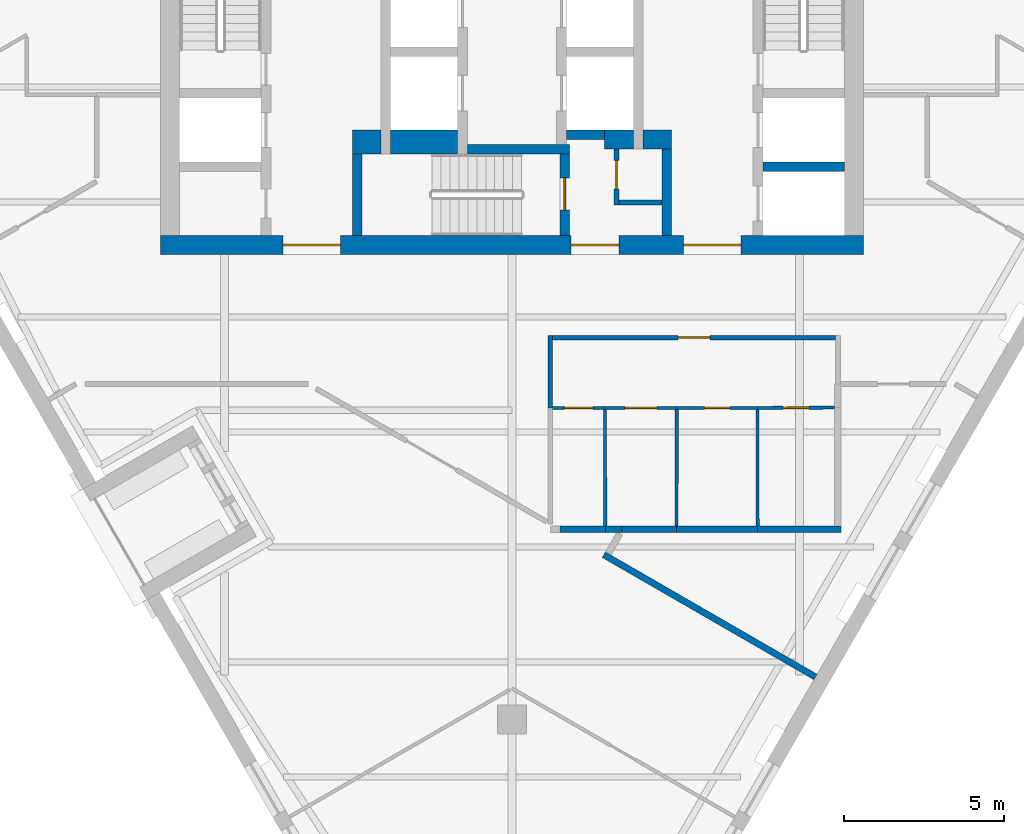
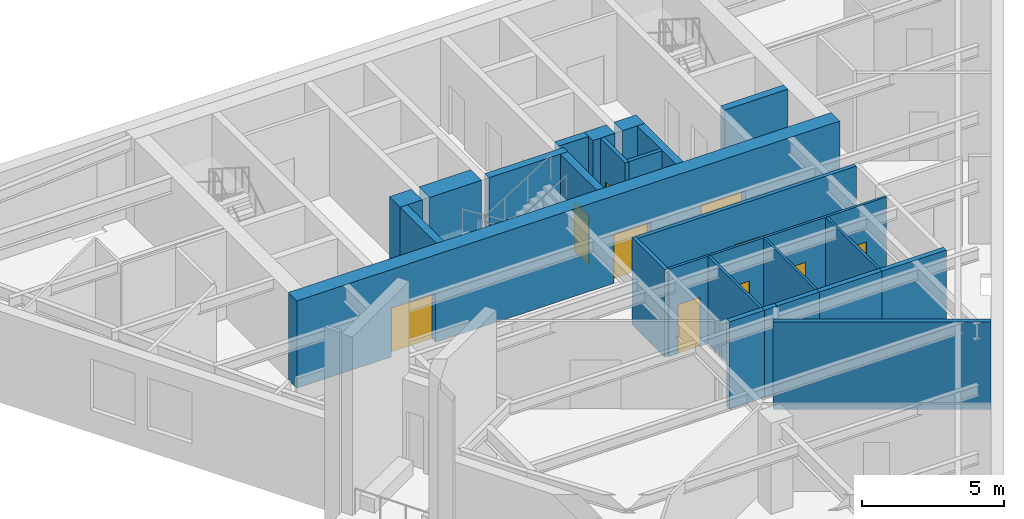
# One storey, part 3 of 7: 28 walls, 10 doors, 10 openings.
"""IFC4 building model written with IfcOpenShell, lengths in metres."""

from ifc_helpers import new_model, si_unit, direction, frame, frame_2d, origin, place, context, subcontext, project, spatial, rectangle, extrude, material, layer, layer_set, type_object, element, fill, save


model = new_model("IFC4")

# Units and contexts
model_context = context("Model", 3, precision=1e-05, world=origin(), true_north=direction((0.0, 1.0)))
body_context = subcontext(model_context, "Body", "Model", "MODEL_VIEW")
ifc_project = project(units=[si_unit("LENGTHUNIT", "METRE"), si_unit("AREAUNIT", "SQUARE_METRE"), si_unit("VOLUMEUNIT", "CUBIC_METRE"), si_unit("PLANEANGLEUNIT", "RADIAN"), si_unit("MASSUNIT", "GRAM", prefix="KILO")], contexts=[model_context])

# Site, building, storey
site_placement = place(None, origin())
site = spatial("IfcSite", under=ifc_project, at=site_placement, CompositionType="ELEMENT")
building_placement = place(site_placement, origin())
building = spatial("IfcBuilding", under=site, at=building_placement, Name="Aloe Facet Convention Tower", CompositionType="ELEMENT")
storey_placement = place(building_placement, frame((0.0, 0.0, 148.10009765625)))
storey = spatial("IfcBuildingStorey", under=building, at=storey_placement, Name="L37", CompositionType="ELEMENT", Elevation=148.10009765625)

# Wall, opening, door
ifc_material_1 = material(Name="Concrete blockwork partition", Category="masonry")
ifc_layer_1 = layer(ifc_material_1, 0.14990234375)
ifc_layer_set_1 = layer_set([ifc_layer_1], Name="CR-W-PART150")
wall_type_1 = type_object("IfcWallType", Name="CR-W-PART150", PredefinedType="PARTITIONING", material=ifc_layer_set_1)
wall_1_placement = place(storey_placement, frame((83.27490234375, 125.85009765625, 0.0), z_axis=(0.0, 0.0, 1.0), x_axis=(0.0, -1.0, 0.0)))
wall_1 = element("IfcWall", 1, at=wall_1_placement, inside=storey, type_object=wall_type_1, Name="Core partition L37-022", PredefinedType="PARTITIONING", context=body_context, shape_type="SweptSolid", body=[
    extrude(rectangle(XDim=1.75, YDim=0.14990234375, at=frame_2d((0.875, 0.0))), origin(), (0.0, 0.0, 1.0), 3.75),
])
opening_1_placement = place(wall_1_placement, frame((0.35009765625, 0.0, 0.0)))
opening_1 = element("IfcOpeningElement", 2, at=opening_1_placement, cuts=wall_1, Name="Opening L37-CD12", PredefinedType="OPENING", context=body_context, shape_type="SweptSolid", body=[
    extrude(rectangle(XDim=0.89990234375, YDim=2.10009765625, at=frame_2d((0.449951171875, 1.050048828125))), frame((0.0, 0.0849609375, 0.0), z_axis=(0.0, -1.0, 0.0), x_axis=(1.0, 0.0, 0.0)), (0.0, 0.0, 1.0), 0.169921875),
])
ifc_material_2 = material(Name="Steel fire-resisting door set FD60", Category="steel")
door_type_1 = type_object("IfcDoorType", Name="CR-D-REFUGE-900-FD60-SRIGHT", OperationType="SINGLE_SWING_RIGHT", PredefinedType="DOOR", material=ifc_material_2)
door_1_placement = place(opening_1_placement, origin())
door_1 = element("IfcDoor", 3, at=door_1_placement, inside=storey, type_object=door_type_1, Name="Core door L37-CD12", OperationType="SINGLE_SWING_RIGHT", OverallHeight=2.10009765625, OverallWidth=0.89990234375, PredefinedType="DOOR", context=body_context, shape_type="SweptSolid", body=[
    extrude(rectangle(XDim=0.89990234375, YDim=2.10009765625, at=frame_2d((0.449951171875, 1.050048828125))), frame((0.0, 0.02490234375, 0.0), z_axis=(0.0, -1.0, 0.0), x_axis=(1.0, 0.0, 0.0)), (0.0, 0.0, 1.0), 0.050048828125),
])
fill(opening_1, door_1)

# Walls
wall_2_placement = place(storey_placement, frame((83.35009765625, 124.175048828125, 0.0), z_axis=(0.0, 0.0, 1.0), x_axis=(1.0, 0.0, 0.0)))
element("IfcWall", 4, at=wall_2_placement, inside=storey, type_object=wall_type_1, Name="Core partition L37-023", PredefinedType="PARTITIONING", context=body_context, shape_type="SweptSolid", body=[
    extrude(rectangle(XDim=1.349853515625, YDim=0.14990234375, at=frame_2d((0.6748046875, 0.0))), origin(), (0.0, 0.0, 1.0), 3.75),
])
ifc_material_3 = material(Name="Concrete C60/75", Category="concrete")
ifc_layer_2 = layer(ifc_material_3, 0.300048828125)
ifc_layer_set_2 = layer_set([ifc_layer_2], Name="CR-W-RC300-C6075")
wall_type_2 = type_object("IfcWallType", Name="CR-W-RC300-C6075", PredefinedType="SOLIDWALL", material=ifc_layer_set_2)
wall_3_placement = place(storey_placement, frame((75.14990234375, 125.699951171875, 0.0), z_axis=(0.0, 0.0, 1.0), x_axis=(0.0, -1.0, 0.0)))
element("IfcWall", 5, at=wall_3_placement, inside=storey, type_object=wall_type_2, Name="Core wall L37-009", PredefinedType="SOLIDWALL", context=body_context, shape_type="SweptSolid", body=[
    extrude(rectangle(XDim=2.550048828125, YDim=0.300048828125, at=frame_2d((1.27490234375, 0.0))), origin(), (0.0, 0.0, 1.0), 3.75),
])
wall_4_placement = place(storey_placement, frame((78.60009765625, 125.85009765625, 0.0), z_axis=(0.0, 0.0, 1.0), x_axis=(1.0, 0.0, 0.0)))
element("IfcWall", 6, at=wall_4_placement, inside=storey, type_object=wall_type_2, Name="Core wall L37-015", PredefinedType="SOLIDWALL", context=body_context, shape_type="SweptSolid", body=[
    extrude(rectangle(XDim=3.199951171875, YDim=0.300048828125, at=frame_2d((1.60009765625, 0.0))), origin(), (0.0, 0.0, 1.0), 3.75),
])

# Wall, opening, door
wall_5_placement = place(storey_placement, frame((81.64990234375, 125.699951171875, 0.0), z_axis=(0.0, 0.0, 1.0), x_axis=(0.0, -1.0, 0.0)))
wall_5 = element("IfcWall", 7, at=wall_5_placement, inside=storey, type_object=wall_type_2, Name="Core wall L37-017", PredefinedType="SOLIDWALL", context=body_context, shape_type="SweptSolid", body=[
    extrude(rectangle(XDim=2.550048828125, YDim=0.300048828125, at=frame_2d((1.27490234375, 0.0))), origin(), (0.0, 0.0, 1.0), 3.75),
])
opening_2_placement = place(wall_5_placement, frame((0.75, 0.0, 0.0)))
opening_2 = element("IfcOpeningElement", 8, at=opening_2_placement, cuts=wall_5, Name="Opening L37-CD18", PredefinedType="OPENING", context=body_context, shape_type="SweptSolid", body=[
    extrude(rectangle(XDim=1.0, YDim=2.10009765625, at=frame_2d((0.5, 1.050048828125))), frame((0.0, 0.16015625, 0.0), z_axis=(0.0, -1.0, 0.0), x_axis=(1.0, 0.0, 0.0)), (0.0, 0.0, 1.0), 0.320068359375),
])
ifc_material_4 = material(Name="Steel fire-resisting door set FD120", Category="steel")
door_type_2 = type_object("IfcDoorType", Name="CR-D-STAIR-1000-FD120-SLEFT", OperationType="SINGLE_SWING_LEFT", PredefinedType="DOOR", material=ifc_material_4)
door_2_placement = place(opening_2_placement, origin())
door_2 = element("IfcDoor", 9, at=door_2_placement, inside=storey, type_object=door_type_2, Name="Core door L37-CD18", OperationType="SINGLE_SWING_LEFT", OverallHeight=2.10009765625, OverallWidth=1.0, PredefinedType="DOOR", context=body_context, shape_type="SweptSolid", body=[
    extrude(rectangle(XDim=1.0, YDim=2.10009765625, at=frame_2d((0.5, 1.050048828125))), frame((0.0, 0.02490234375, 0.0), z_axis=(0.0, -1.0, 0.0), x_axis=(1.0, 0.0, 0.0)), (0.0, 0.0, 1.0), 0.050048828125),
])
fill(opening_2, door_2)

# Walls
wall_6_placement = place(storey_placement, frame((81.699951171875, 126.300048828125, 0.0), z_axis=(0.0, 0.0, 1.0), x_axis=(1.0, 0.0, 0.0)))
element("IfcWall", 10, at=wall_6_placement, inside=storey, type_object=wall_type_2, Name="Core wall L37-020", PredefinedType="SOLIDWALL", context=body_context, shape_type="SweptSolid", body=[
    extrude(rectangle(XDim=1.199951171875, YDim=0.300048828125, at=frame_2d((0.60009765625, 0.0))), origin(), (0.0, 0.0, 1.0), 3.75),
])
wall_7_placement = place(storey_placement, frame((84.85009765625, 125.85009765625, 0.0), z_axis=(0.0, 0.0, 1.0), x_axis=(0.0, -1.0, 0.0)))
element("IfcWall", 11, at=wall_7_placement, inside=storey, type_object=wall_type_2, Name="Core wall L37-027", PredefinedType="SOLIDWALL", context=body_context, shape_type="SweptSolid", body=[
    extrude(rectangle(XDim=2.7001953125, YDim=0.300048828125, at=frame_2d((1.35009765625, 0.0))), origin(), (0.0, 0.0, 1.0), 3.75),
])
wall_8_placement = place(storey_placement, frame((87.85009765625, 125.300048828125, 0.0), z_axis=(0.0, 0.0, 1.0), x_axis=(1.0, 0.0, 0.0)))
element("IfcWall", 12, at=wall_8_placement, inside=storey, type_object=wall_type_2, Name="Core wall L37-030", PredefinedType="SOLIDWALL", context=body_context, shape_type="SweptSolid", body=[
    extrude(rectangle(XDim=2.5498046875, YDim=0.300048828125, at=frame_2d((1.27490234375, 0.0))), origin(), (0.0, 0.0, 1.0), 3.75),
])

# Wall, openings, doors
ifc_material_5 = material(Name="Concrete C60/75", Category="concrete")
ifc_layer_3 = layer(ifc_material_5, 0.60009765625)
ifc_layer_set_3 = layer_set([ifc_layer_3], Name="CR-W-RC600-C6075")
wall_type_3 = type_object("IfcWallType", Name="CR-W-RC600-C6075", PredefinedType="SOLIDWALL", material=ifc_layer_set_3)
wall_9_placement = place(storey_placement, frame((69.0, 122.85009765625, 0.0), z_axis=(0.0, 0.0, 1.0), x_axis=(1.0, 0.0, 0.0)))
wall_9 = element("IfcWall", 13, at=wall_9_placement, inside=storey, type_object=wall_type_3, Name="Core wall L37-003", PredefinedType="SOLIDWALL", context=body_context, shape_type="SweptSolid", body=[
    extrude(rectangle(XDim=22.0, YDim=0.60009765625, at=frame_2d((11.0, 0.0))), origin(), (0.0, 0.0, 1.0), 3.75),
])
opening_3_placement = place(wall_9_placement, frame((16.375, 0.0, 0.0)))
opening_3 = element("IfcOpeningElement", 14, at=opening_3_placement, cuts=wall_9, Name="Opening L37-CD09", PredefinedType="OPENING", context=body_context, shape_type="SweptSolid", body=[
    extrude(rectangle(XDim=1.800048828125, YDim=2.10009765625, at=frame_2d((0.89990234375, 1.050048828125))), frame((0.0, 0.31005859375, 0.0), z_axis=(0.0, -1.0, 0.0), x_axis=(1.0, 0.0, 0.0)), (0.0, 0.0, 1.0), 0.6201171875),
])
opening_4_placement = place(wall_9_placement, frame((3.824951171875, 0.0, 0.0)))
opening_4 = element("IfcOpeningElement", 15, at=opening_4_placement, cuts=wall_9, Name="Opening L37-CD10", PredefinedType="OPENING", context=body_context, shape_type="SweptSolid", body=[
    extrude(rectangle(XDim=1.800048828125, YDim=2.10009765625, at=frame_2d((0.89990234375, 1.050048828125))), frame((0.0, 0.31005859375, 0.0), z_axis=(0.0, -1.0, 0.0), x_axis=(1.0, 0.0, 0.0)), (0.0, 0.0, 1.0), 0.6201171875),
])
opening_5_placement = place(wall_9_placement, frame((12.85009765625, 0.0, 0.0)))
opening_5 = element("IfcOpeningElement", 16, at=opening_5_placement, cuts=wall_9, Name="Opening L37-CD11", PredefinedType="OPENING", context=body_context, shape_type="SweptSolid", body=[
    extrude(rectangle(XDim=1.5, YDim=2.10009765625, at=frame_2d((0.75, 1.050048828125))), frame((0.0, 0.31005859375, 0.0), z_axis=(0.0, -1.0, 0.0), x_axis=(1.0, 0.0, 0.0)), (0.0, 0.0, 1.0), 0.6201171875),
])
ifc_material_6 = material(Name="Steel fire-resisting door set FD60", Category="steel")
door_type_3 = type_object("IfcDoorType", Name="CR-D-EXIT-1500-FD60-DD", OperationType="DOUBLE_DOOR_DOUBLE_SWING", PredefinedType="DOOR", material=ifc_material_6)
door_3_placement = place(opening_5_placement, origin())
door_3 = element("IfcDoor", 17, at=door_3_placement, inside=storey, type_object=door_type_3, Name="Core door L37-CD11", OperationType="DOUBLE_DOOR_DOUBLE_SWING", OverallHeight=2.10009765625, OverallWidth=1.5, PredefinedType="DOOR", context=body_context, shape_type="SweptSolid", body=[
    extrude(rectangle(XDim=1.5, YDim=2.10009765625, at=frame_2d((0.75, 1.050048828125))), frame((0.0, 0.02490234375, 0.0), z_axis=(0.0, -1.0, 0.0), x_axis=(1.0, 0.0, 0.0)), (0.0, 0.0, 1.0), 0.050048828125),
])
fill(opening_5, door_3)
ifc_material_7 = material(Name="Steel fire-resisting door set FD120", Category="steel")
door_type_4 = type_object("IfcDoorType", Name="CR-D-EXIT-1800-FD120-DD", OperationType="DOUBLE_DOOR_DOUBLE_SWING", PredefinedType="DOOR", material=ifc_material_7)
door_4_placement = place(opening_3_placement, origin())
door_4 = element("IfcDoor", 18, at=door_4_placement, inside=storey, type_object=door_type_4, Name="Core door L37-CD09", OperationType="DOUBLE_DOOR_DOUBLE_SWING", OverallHeight=2.10009765625, OverallWidth=1.800048828125, PredefinedType="DOOR", context=body_context, shape_type="SweptSolid", body=[
    extrude(rectangle(XDim=1.800048828125, YDim=2.10009765625, at=frame_2d((0.89990234375, 1.050048828125))), frame((0.0, 0.02490234375, 0.0), z_axis=(0.0, -1.0, 0.0), x_axis=(1.0, 0.0, 0.0)), (0.0, 0.0, 1.0), 0.050048828125),
])
fill(opening_3, door_4)
door_5_placement = place(opening_4_placement, origin())
door_5 = element("IfcDoor", 19, at=door_5_placement, inside=storey, type_object=door_type_4, Name="Core door L37-CD10", OperationType="DOUBLE_DOOR_DOUBLE_SWING", OverallHeight=2.10009765625, OverallWidth=1.800048828125, PredefinedType="DOOR", context=body_context, shape_type="SweptSolid", body=[
    extrude(rectangle(XDim=1.800048828125, YDim=2.10009765625, at=frame_2d((0.89990234375, 1.050048828125))), frame((0.0, 0.02490234375, 0.0), z_axis=(0.0, -1.0, 0.0), x_axis=(1.0, 0.0, 0.0)), (0.0, 0.0, 1.0), 0.050048828125),
])
fill(opening_4, door_5)

# Walls
wall_10_placement = place(storey_placement, frame((82.89990234375, 126.14990234375, 0.0), z_axis=(0.0, 0.0, 1.0), x_axis=(1.0, 0.0, 0.0)))
element("IfcWall", 20, at=wall_10_placement, inside=storey, type_object=wall_type_3, Name="Core wall L37-021", PredefinedType="SOLIDWALL", context=body_context, shape_type="SweptSolid", body=[
    extrude(rectangle(XDim=0.900146484375, YDim=0.60009765625, at=frame_2d((0.4501953125, 0.0))), origin(), (0.0, 0.0, 1.0), 3.75),
])
wall_11_placement = place(storey_placement, frame((84.10009765625, 126.14990234375, 0.0), z_axis=(0.0, 0.0, 1.0), x_axis=(1.0, 0.0, 0.0)))
element("IfcWall", 21, at=wall_11_placement, inside=storey, type_object=wall_type_3, Name="Core wall L37-026", PredefinedType="SOLIDWALL", context=body_context, shape_type="SweptSolid", body=[
    extrude(rectangle(XDim=0.89990234375, YDim=0.60009765625, at=frame_2d((0.449951171875, 0.0))), origin(), (0.0, 0.0, 1.0), 3.75),
])
ifc_material_8 = material(Name="Concrete C60/75", Category="concrete")
ifc_layer_4 = layer(ifc_material_8, 0.75)
ifc_layer_set_4 = layer_set([ifc_layer_4], Name="CR-W-RC750-C6075")
wall_type_4 = type_object("IfcWallType", Name="CR-W-RC750-C6075", PredefinedType="SOLIDWALL", material=ifc_layer_set_4)
wall_12_placement = place(storey_placement, frame((75.0, 126.074951171875, 0.0), z_axis=(0.0, 0.0, 1.0), x_axis=(1.0, 0.0, 0.0)))
element("IfcWall", 22, at=wall_12_placement, inside=storey, type_object=wall_type_4, Name="Core wall L37-008", PredefinedType="SOLIDWALL", context=body_context, shape_type="SweptSolid", body=[
    extrude(rectangle(XDim=0.89990234375, YDim=0.75, at=frame_2d((0.449951171875, 0.0))), origin(), (0.0, 0.0, 1.0), 3.75),
])
wall_13_placement = place(storey_placement, frame((76.199951171875, 126.074951171875, 0.0), z_axis=(0.0, 0.0, 1.0), x_axis=(1.0, 0.0, 0.0)))
element("IfcWall", 23, at=wall_13_placement, inside=storey, type_object=wall_type_4, Name="Core wall L37-013", PredefinedType="SOLIDWALL", context=body_context, shape_type="SweptSolid", body=[
    extrude(rectangle(XDim=2.10009765625, YDim=0.75, at=frame_2d((1.050048828125, 0.0))), origin(), (0.0, 0.0, 1.0), 3.75),
])
ifc_material_9 = material(Name="Gypsum board partition on steel studs", Category="steel")
ifc_layer_5 = layer(ifc_material_9, 0.14990234375)
ifc_layer_set_5 = layer_set([ifc_layer_5], Name="IN-W-CORR")
wall_type_5 = type_object("IfcWallType", Name="IN-W-CORR", PredefinedType="PARTITIONING", material=ifc_layer_set_5)
wall_14_placement = place(storey_placement, frame((81.199951171875, 117.75, 0.0), z_axis=(0.0, 0.0, 1.0), x_axis=(0.0, 1.0, 0.0)))
element("IfcWall", 24, at=wall_14_placement, inside=storey, type_object=wall_type_5, Name="Partition L37-W028", PredefinedType="PARTITIONING", context=body_context, shape_type="SweptSolid", body=[
    extrude(rectangle(XDim=2.27294921875, YDim=0.14990234375, at=frame_2d((1.136474609375, 0.0))), origin(), (0.0, 0.0, 1.0), 3.75),
])

# Wall, opening, door
wall_15_placement = place(storey_placement, frame((81.27490234375, 119.947998046875, 0.0), z_axis=(0.0, 0.0, 1.0), x_axis=(1.0, 0.0, 0.0)))
wall_15 = element("IfcWall", 25, at=wall_15_placement, inside=storey, type_object=wall_type_5, Name="Partition L37-W029", PredefinedType="PARTITIONING", context=body_context, shape_type="SweptSolid", body=[
    extrude(rectangle(XDim=8.85009765625, YDim=0.14990234375, at=frame_2d((4.425048828125, 0.0))), origin(), (0.0, 0.0, 1.0), 3.75),
])
opening_6_placement = place(wall_15_placement, frame((3.925048828125, 0.0, 0.0)))
opening_6 = element("IfcOpeningElement", 26, at=opening_6_placement, cuts=wall_15, Name="Opening L37-001", PredefinedType="OPENING", context=body_context, shape_type="SweptSolid", body=[
    extrude(rectangle(XDim=1.0, YDim=2.10009765625, at=frame_2d((0.5, 1.050048828125))), frame((0.0, 0.0849609375, 0.0), z_axis=(0.0, -1.0, 0.0), x_axis=(1.0, 0.0, 0.0)), (0.0, 0.0, 1.0), 0.169921875),
])
ifc_material_10 = material(Name="Timber door FD30S with vision panel", Category="wood")
door_type_5 = type_object("IfcDoorType", Name="IN-OFF-D-ENTRY", OperationType="SINGLE_SWING_LEFT", PredefinedType="DOOR", material=ifc_material_10)
door_6_placement = place(opening_6_placement, origin())
door_6 = element("IfcDoor", 27, at=door_6_placement, inside=storey, type_object=door_type_5, Name="Door L37-001", OperationType="SINGLE_SWING_LEFT", OverallHeight=2.10009765625, OverallWidth=1.0, PredefinedType="DOOR", context=body_context, shape_type="SweptSolid", body=[
    extrude(rectangle(XDim=1.0, YDim=2.10009765625, at=frame_2d((0.5, 1.050048828125))), frame((0.0, 0.02490234375, 0.0), z_axis=(0.0, -1.0, 0.0), x_axis=(1.0, 0.0, 0.0)), (0.0, 0.0, 1.0), 0.050048828125),
])
fill(opening_6, door_6)

# Wall
ifc_material_11 = material(Name="Gypsum board partition on steel studs", Category="steel")
ifc_layer_6 = layer(ifc_material_11, 0.10009765625)
ifc_layer_set_6 = layer_set([ifc_layer_6], Name="IN-W-PART")
wall_type_6 = type_object("IfcWallType", Name="IN-W-PART", PredefinedType="PARTITIONING", material=ifc_layer_set_6)
wall_16_placement = place(storey_placement, frame((82.919677734375, 114.047119140625, 0.0), z_axis=(0.0, 0.0, 1.0), x_axis=(-0.00260659454, 0.999996602827, 0.0)))
element("IfcWall", 28, at=wall_16_placement, inside=storey, type_object=wall_type_6, Name="Partition L37-W014", PredefinedType="PARTITIONING", context=body_context, shape_type="SweptSolid", body=[
    extrude(rectangle(XDim=3.65283203125, YDim=0.10009765625, at=frame_2d((1.826416015625, 0.0))), origin(), (0.0, 0.0, 1.0), 3.75),
])

# Wall, opening, door
wall_17_placement = place(storey_placement, frame((81.27490234375, 117.75, 0.0), z_axis=(0.0, 0.0, 1.0), x_axis=(1.0, 0.0, 0.0)))
wall_17 = element("IfcWall", 29, at=wall_17_placement, inside=storey, type_object=wall_type_6, Name="Partition L37-W015", PredefinedType="PARTITIONING", context=body_context, shape_type="SweptSolid", body=[
    extrude(rectangle(XDim=1.635009765625, YDim=0.10009765625, at=frame_2d((0.8173828125, 0.0))), origin(), (0.0, 0.0, 1.0), 3.75),
])
opening_7_placement = place(wall_17_placement, frame((0.367431640625, 0.0, 0.0)))
opening_7 = element("IfcOpeningElement", 30, at=opening_7_placement, cuts=wall_17, Name="Opening L37-002", PredefinedType="OPENING", context=body_context, shape_type="SweptSolid", body=[
    extrude(rectangle(XDim=0.89990234375, YDim=2.10009765625, at=frame_2d((0.449951171875, 1.050048828125))), frame((0.0, 0.06005859375, 0.0), z_axis=(0.0, -1.0, 0.0), x_axis=(1.0, 0.0, 0.0)), (0.0, 0.0, 1.0), 0.1201171875),
])
ifc_material_12 = material(Name="Timber door", Category="wood")
door_type_6 = type_object("IfcDoorType", Name="IN-OFF-D-ROOM", OperationType="SINGLE_SWING_LEFT", PredefinedType="DOOR", material=ifc_material_12)
door_7_placement = place(opening_7_placement, origin())
door_7 = element("IfcDoor", 31, at=door_7_placement, inside=storey, type_object=door_type_6, Name="Door L37-002", OperationType="SINGLE_SWING_LEFT", OverallHeight=2.10009765625, OverallWidth=0.89990234375, PredefinedType="DOOR", context=body_context, shape_type="SweptSolid", body=[
    extrude(rectangle(XDim=0.89990234375, YDim=2.10009765625, at=frame_2d((0.449951171875, 1.050048828125))), frame((0.0, 0.02490234375, 0.0), z_axis=(0.0, -1.0, 0.0), x_axis=(1.0, 0.0, 0.0)), (0.0, 0.0, 1.0), 0.050048828125),
])
fill(opening_7, door_7)

# Wall
wall_18_placement = place(storey_placement, frame((85.150146484375, 114.050048828125, 0.0), z_axis=(0.0, 0.0, 1.0), x_axis=(0.002675575707, 0.999996420641, 0.0)))
element("IfcWall", 32, at=wall_18_placement, inside=storey, type_object=wall_type_6, Name="Partition L37-W016", PredefinedType="PARTITIONING", context=body_context, shape_type="SweptSolid", body=[
    extrude(rectangle(XDim=3.64990234375, YDim=0.10009765625, at=frame_2d((1.824951171875, 0.0))), origin(), (0.0, 0.0, 1.0), 3.75),
])

# Wall, opening, door
wall_19_placement = place(storey_placement, frame((82.909912109375, 117.75, 0.0), z_axis=(0.0, 0.0, 1.0), x_axis=(1.0, 0.0, 0.0)))
wall_19 = element("IfcWall", 33, at=wall_19_placement, inside=storey, type_object=wall_type_6, Name="Partition L37-W017", PredefinedType="PARTITIONING", context=body_context, shape_type="SweptSolid", body=[
    extrude(rectangle(XDim=2.25, YDim=0.10009765625, at=frame_2d((1.125, 0.0))), origin(), (0.0, 0.0, 1.0), 3.75),
])
opening_8_placement = place(wall_19_placement, frame((0.625, 0.0, 0.0)))
opening_8 = element("IfcOpeningElement", 34, at=opening_8_placement, cuts=wall_19, Name="Opening L37-003", PredefinedType="OPENING", context=body_context, shape_type="SweptSolid", body=[
    extrude(rectangle(XDim=1.0, YDim=2.10009765625, at=frame_2d((0.5, 1.050048828125))), frame((0.0, 0.06005859375, 0.0), z_axis=(0.0, -1.0, 0.0), x_axis=(1.0, 0.0, 0.0)), (0.0, 0.0, 1.0), 0.1201171875),
])
ifc_material_13 = material(Name="Timber door", Category="wood")
door_type_7 = type_object("IfcDoorType", Name="IN-OFF-D-WIDE", OperationType="SINGLE_SWING_LEFT", PredefinedType="DOOR", material=ifc_material_13)
door_8_placement = place(opening_8_placement, origin())
door_8 = element("IfcDoor", 35, at=door_8_placement, inside=storey, type_object=door_type_7, Name="Door L37-003", OperationType="SINGLE_SWING_LEFT", OverallHeight=2.10009765625, OverallWidth=1.0, PredefinedType="DOOR", context=body_context, shape_type="SweptSolid", body=[
    extrude(rectangle(XDim=1.0, YDim=2.10009765625, at=frame_2d((0.5, 1.050048828125))), frame((0.0, 0.02490234375, 0.0), z_axis=(0.0, -1.0, 0.0), x_axis=(1.0, 0.0, 0.0)), (0.0, 0.0, 1.0), 0.050048828125),
])
fill(opening_8, door_8)

# Wall
wall_20_placement = place(storey_placement, frame((87.689697265625, 114.050048828125, 0.0), z_axis=(0.0, 0.0, 1.0), x_axis=(-0.002608686776, 0.999996597371, 0.0)))
element("IfcWall", 36, at=wall_20_placement, inside=storey, type_object=wall_type_6, Name="Partition L37-W018", PredefinedType="PARTITIONING", context=body_context, shape_type="SweptSolid", body=[
    extrude(rectangle(XDim=3.64990234375, YDim=0.10009765625, at=frame_2d((1.824951171875, 0.0))), origin(), (0.0, 0.0, 1.0), 3.75),
])

# Wall, opening, door
wall_21_placement = place(storey_placement, frame((85.159912109375, 117.75, 0.0), z_axis=(0.0, 0.0, 1.0), x_axis=(1.0, 0.0, 0.0)))
wall_21 = element("IfcWall", 37, at=wall_21_placement, inside=storey, type_object=wall_type_6, Name="Partition L37-W019", PredefinedType="PARTITIONING", context=body_context, shape_type="SweptSolid", body=[
    extrude(rectangle(XDim=2.52001953125, YDim=0.10009765625, at=frame_2d((1.260009765625, 0.0))), origin(), (0.0, 0.0, 1.0), 3.75),
])
opening_9_placement = place(wall_21_placement, frame((0.860107421875, 0.0, 0.0)))
opening_9 = element("IfcOpeningElement", 38, at=opening_9_placement, cuts=wall_21, Name="Opening L37-004", PredefinedType="OPENING", context=body_context, shape_type="SweptSolid", body=[
    extrude(rectangle(XDim=0.800048828125, YDim=2.10009765625, at=frame_2d((0.39990234375, 1.050048828125))), frame((0.0, 0.06005859375, 0.0), z_axis=(0.0, -1.0, 0.0), x_axis=(1.0, 0.0, 0.0)), (0.0, 0.0, 1.0), 0.1201171875),
])
ifc_material_14 = material(Name="Timber door", Category="wood")
door_type_8 = type_object("IfcDoorType", Name="IN-OFF-D-WC", OperationType="SINGLE_SWING_LEFT", PredefinedType="DOOR", material=ifc_material_14)
door_9_placement = place(opening_9_placement, origin())
door_9 = element("IfcDoor", 39, at=door_9_placement, inside=storey, type_object=door_type_8, Name="Door L37-004", OperationType="SINGLE_SWING_LEFT", OverallHeight=2.10009765625, OverallWidth=0.800048828125, PredefinedType="DOOR", context=body_context, shape_type="SweptSolid", body=[
    extrude(rectangle(XDim=0.800048828125, YDim=2.10009765625, at=frame_2d((0.39990234375, 1.050048828125))), frame((0.0, 0.02490234375, 0.0), z_axis=(0.0, -1.0, 0.0), x_axis=(1.0, 0.0, 0.0)), (0.0, 0.0, 1.0), 0.050048828125),
])
fill(opening_9, door_9)

wall_22_placement = place(storey_placement, frame((87.679931640625, 117.75, 0.0), z_axis=(0.0, 0.0, 1.0), x_axis=(0.999992261016, 0.003934197335, 0.0)))
wall_22 = element("IfcWall", 40, at=wall_22_placement, inside=storey, type_object=wall_type_6, Name="Partition L37-W020", PredefinedType="PARTITIONING", context=body_context, shape_type="SweptSolid", body=[
    extrude(rectangle(XDim=2.420166015625, YDim=0.10009765625, at=frame_2d((1.2099609375, 0.0))), origin(), (0.0, 0.0, 1.0), 3.75),
])
opening_10_placement = place(wall_22_placement, frame((0.81005859375, 0.0, 0.0)))
opening_10 = element("IfcOpeningElement", 41, at=opening_10_placement, cuts=wall_22, Name="Opening L37-005", PredefinedType="OPENING", context=body_context, shape_type="SweptSolid", body=[
    extrude(rectangle(XDim=0.800048828125, YDim=2.10009765625, at=frame_2d((0.39990234375, 1.050048828125))), frame((0.0, 0.06005859375, 0.0), z_axis=(0.0, -1.0, 0.0), x_axis=(1.0, 0.0, 0.0)), (0.0, 0.0, 1.0), 0.1201171875),
])
door_10_placement = place(opening_10_placement, origin())
door_10 = element("IfcDoor", 42, at=door_10_placement, inside=storey, type_object=door_type_8, Name="Door L37-005", OperationType="SINGLE_SWING_LEFT", OverallHeight=2.10009765625, OverallWidth=0.800048828125, PredefinedType="DOOR", context=body_context, shape_type="SweptSolid", body=[
    extrude(rectangle(XDim=0.800048828125, YDim=2.10009765625, at=frame_2d((0.39990234375, 1.050048828125))), frame((0.0, 0.02490234375, 0.0), z_axis=(0.0, -1.0, 0.0), x_axis=(1.0, 0.0, 0.0)), (0.0, 0.0, 1.0), 0.050048828125),
])
fill(opening_10, door_10)

# Walls
ifc_material_15 = material(Name="Gypsum board partition on steel studs", Category="steel")
ifc_layer_7 = layer(ifc_material_15, 0.199951171875)
ifc_layer_set_7 = layer_set([ifc_layer_7], Name="IN-W-PARTY")
wall_type_7 = type_object("IfcWallType", Name="IN-W-PARTY", PredefinedType="PARTITIONING", material=ifc_layer_set_7)
wall_23_placement = place(storey_placement, frame((82.875244140625, 113.153076171875, 0.0), z_axis=(0.0, 0.0, 1.0), x_axis=(0.866037336609, -0.499979331172, 0.0)))
element("IfcWall", 43, at=wall_23_placement, inside=storey, type_object=wall_type_7, Name="Partition L37-W003", PredefinedType="PARTITIONING", context=body_context, shape_type="SweptSolid", body=[
    extrude(rectangle(XDim=7.651123046875, YDim=0.199951171875, at=frame_2d((3.82568359375, 0.0))), origin(), (0.0, 0.0, 1.0), 3.75),
])
wall_24_placement = place(storey_placement, frame((81.50634765625, 113.947021484375, 0.0), z_axis=(0.0, 0.0, 1.0), x_axis=(1.0, 0.0, 0.0)))
element("IfcWall", 44, at=wall_24_placement, inside=storey, type_object=wall_type_7, Name="Partition L37-W004", PredefinedType="PARTITIONING", context=body_context, shape_type="SweptSolid", body=[
    extrude(rectangle(XDim=1.41357421875, YDim=0.199951171875, at=frame_2d((0.706787109375, 0.0))), origin(), (0.0, 0.0, 1.0), 3.75),
])
wall_25_placement = place(storey_placement, frame((82.919921875, 113.947021484375, 0.0), z_axis=(0.0, 0.0, 1.0), x_axis=(1.0, 0.0, 0.0)))
element("IfcWall", 45, at=wall_25_placement, inside=storey, type_object=wall_type_7, Name="Partition L37-W005", PredefinedType="PARTITIONING", context=body_context, shape_type="SweptSolid", body=[
    extrude(rectangle(XDim=0.527099609375, YDim=0.199951171875, at=frame_2d((0.263671875, 0.0))), origin(), (0.0, 0.0, 1.0), 3.75),
])
wall_26_placement = place(storey_placement, frame((83.447021484375, 113.947021484375, 0.0), z_axis=(0.0, 0.0, 1.0), x_axis=(0.999998520063, 0.001720427561, 0.0)))
element("IfcWall", 46, at=wall_26_placement, inside=storey, type_object=wall_type_7, Name="Partition L37-W008", PredefinedType="PARTITIONING", context=body_context, shape_type="SweptSolid", body=[
    extrude(rectangle(XDim=1.702880859375, YDim=0.199951171875, at=frame_2d((0.8515625, 0.0))), origin(), (0.0, 0.0, 1.0), 3.75),
])
wall_27_placement = place(storey_placement, frame((85.14990234375, 113.949951171875, 0.0), z_axis=(0.0, 0.0, 1.0), x_axis=(1.0, 0.0, 0.0)))
element("IfcWall", 47, at=wall_27_placement, inside=storey, type_object=wall_type_7, Name="Partition L37-W009", PredefinedType="PARTITIONING", context=body_context, shape_type="SweptSolid", body=[
    extrude(rectangle(XDim=2.5400390625, YDim=0.199951171875, at=frame_2d((1.27001953125, 0.0))), origin(), (0.0, 0.0, 1.0), 3.75),
])
wall_28_placement = place(storey_placement, frame((87.68994140625, 113.949951171875, 0.0), z_axis=(0.0, 0.0, 1.0), x_axis=(1.0, 0.0, 0.0)))
element("IfcWall", 48, at=wall_28_placement, inside=storey, type_object=wall_type_7, Name="Partition L37-W010", PredefinedType="PARTITIONING", context=body_context, shape_type="SweptSolid", body=[
    extrude(rectangle(XDim=2.608154296875, YDim=0.199951171875, at=frame_2d((1.30419921875, 0.0))), origin(), (0.0, 0.0, 1.0), 3.75),
])

save(model, "model.ifc")
